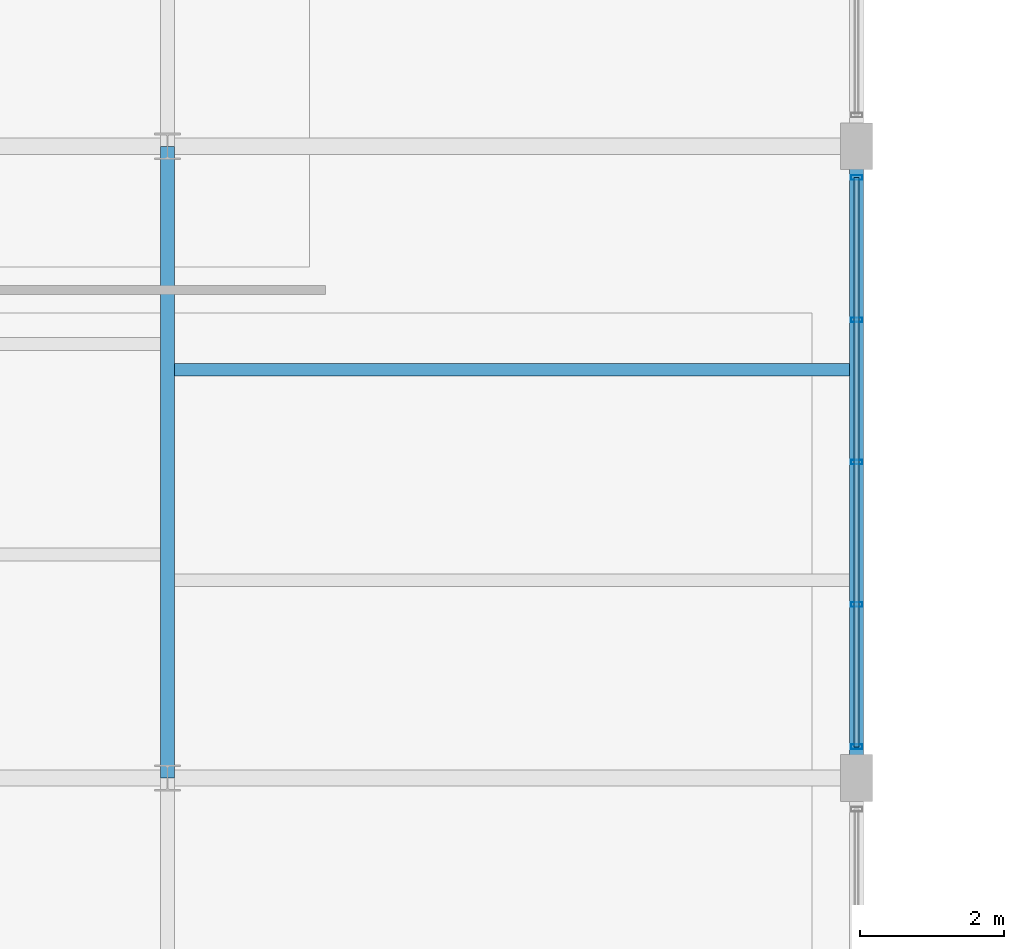
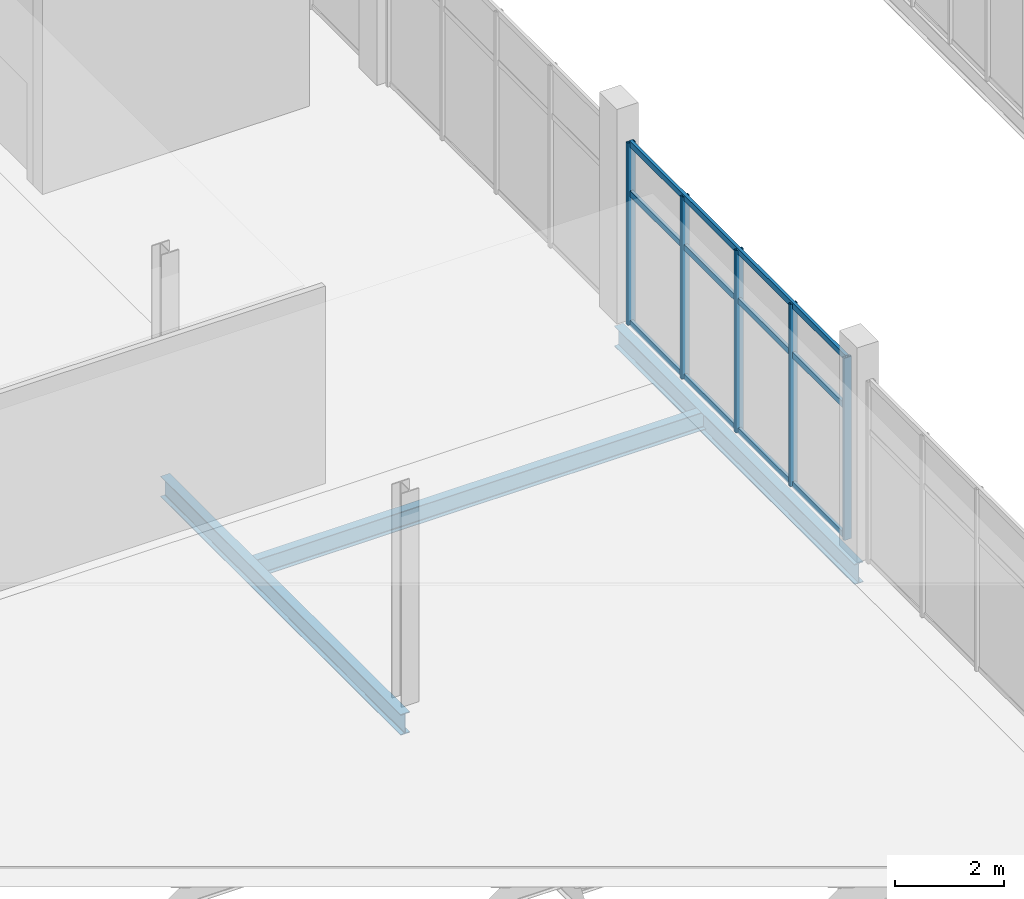
# One storey, part 30 of 157: 8 members, 3 beams, 1 element without a shape of its own.
"""IFC4 building model written with IfcOpenShell, lengths in metres."""

from ifc_helpers import new_model, si_unit, direction, frame, origin, origin_2d, place, context, subcontext, project, spatial, hollow_rectangle, i_section, extrude, material, layer, layer_set, material_profile, profile_set, type_object, element, aggregate, save


model = new_model("IFC4")

# Units and contexts
model_context = context("Model", 3, precision=1e-05, world=origin(), true_north=direction((0.0, 1.0)))
body_context = subcontext(model_context, "Body", "Model", "MODEL_VIEW")
ifc_project = project(units=[si_unit("LENGTHUNIT", "METRE"), si_unit("AREAUNIT", "SQUARE_METRE"), si_unit("VOLUMEUNIT", "CUBIC_METRE"), si_unit("PLANEANGLEUNIT", "RADIAN"), si_unit("MASSUNIT", "GRAM", prefix="KILO")], contexts=[model_context])

# Site, building, storey
site_placement = place(None, origin())
site = spatial("IfcSite", under=ifc_project, at=site_placement, CompositionType="ELEMENT")
building_placement = place(site_placement, origin())
building = spatial("IfcBuilding", under=site, at=building_placement, Name="Chalmorin Arch Market", CompositionType="ELEMENT")
storey_placement = place(building_placement, frame((0.0, 0.0, 4.800048828125)))
storey = spatial("IfcBuildingStorey", under=building, at=storey_placement, Name="L01", CompositionType="ELEMENT", Elevation=4.800048828125)

# Curtain wall, members
ifc_material_1 = material(Name="Aluminium 6063-T6", Category="aluminium")
ifc_layer = layer(ifc_material_1, 0.159912109375)
ifc_layer_set = layer_set([ifc_layer], Name="Aluminium 6063-T6")
curtain_wall_type = type_object("IfcCurtainWallType", Name="RiverfrontStorefrontCurtainWall-CW2-7930x4080", PredefinedType="NOTDEFINED", material=ifc_layer_set)
curtain_wall_placement = place(storey_placement, origin())
curtain_wall = element("IfcCurtainWall", 1, at=curtain_wall_placement, inside=storey, type_object=curtain_wall_type, Name="CW-02-101", PredefinedType="NOTDEFINED")
ifc_material_profile_1 = material_profile(ifc_material_1, hollow_rectangle(XDim=0.06494140625, YDim=0.159912109375, WallThickness=0.00390625, at=origin_2d()), Name="ALU65X160X4")
ifc_profile_set_1 = profile_set([ifc_material_profile_1], Name="Aluminium 6063-T6")
member_type_1 = type_object("IfcMemberType", Name="CurtainWallMullion-65x160", PredefinedType="MULLION", material=ifc_profile_set_1)
member_1_placement = place(storey_placement, frame((38.39990234375, 24.034912109375, 0.0), z_axis=(0.0, 0.0, 1.0), x_axis=(0.0, 1.0, 0.0)))
member_1 = element("IfcMember", 2, at=member_1_placement, type_object=member_type_1, Name="ML-101-01", PredefinedType="MULLION", context=body_context, shape_type="SweptSolid", body=[
    extrude(hollow_rectangle(XDim=0.06494140625, YDim=0.159912109375, WallThickness=0.00390625, at=origin_2d()), origin(), (0.0, 0.0, 1.0), 4.075927734375),
])
member_2_placement = place(storey_placement, frame((38.39990234375, 26.017578125, 0.0), z_axis=(0.0, 0.0, 1.0), x_axis=(0.0, 1.0, 0.0)))
member_2 = element("IfcMember", 3, at=member_2_placement, type_object=member_type_1, Name="ML-101-02", PredefinedType="MULLION", context=body_context, shape_type="SweptSolid", body=[
    extrude(hollow_rectangle(XDim=0.06494140625, YDim=0.159912109375, WallThickness=0.00390625, at=origin_2d()), origin(), (0.0, 0.0, 1.0), 4.075927734375),
])
member_3_placement = place(storey_placement, frame((38.39990234375, 28.0, 0.0), z_axis=(0.0, 0.0, 1.0), x_axis=(0.0, 1.0, 0.0)))
member_3 = element("IfcMember", 4, at=member_3_placement, type_object=member_type_1, Name="ML-101-03", PredefinedType="MULLION", context=body_context, shape_type="SweptSolid", body=[
    extrude(hollow_rectangle(XDim=0.06494140625, YDim=0.159912109375, WallThickness=0.00390625, at=origin_2d()), origin(), (0.0, 0.0, 1.0), 4.075927734375),
])
member_4_placement = place(storey_placement, frame((38.39990234375, 29.982421875, 0.0), z_axis=(0.0, 0.0, 1.0), x_axis=(0.0, 1.0, 0.0)))
member_4 = element("IfcMember", 5, at=member_4_placement, type_object=member_type_1, Name="ML-101-04", PredefinedType="MULLION", context=body_context, shape_type="SweptSolid", body=[
    extrude(hollow_rectangle(XDim=0.06494140625, YDim=0.159912109375, WallThickness=0.00390625, at=origin_2d()), origin(), (0.0, 0.0, 1.0), 4.075927734375),
])
member_5_placement = place(storey_placement, frame((38.39990234375, 31.965087890625, 0.0), z_axis=(0.0, 0.0, 1.0), x_axis=(0.0, 1.0, 0.0)))
member_5 = element("IfcMember", 6, at=member_5_placement, type_object=member_type_1, Name="ML-101-05", PredefinedType="MULLION", context=body_context, shape_type="SweptSolid", body=[
    extrude(hollow_rectangle(XDim=0.06494140625, YDim=0.159912109375, WallThickness=0.00390625, at=origin_2d()), origin(), (0.0, 0.0, 1.0), 4.075927734375),
])
ifc_material_profile_2 = material_profile(ifc_material_1, hollow_rectangle(XDim=0.06494140625, YDim=0.1298828125, WallThickness=0.00390625, at=origin_2d()), Name="ALU65X130X4")
ifc_profile_set_2 = profile_set([ifc_material_profile_2], Name="Aluminium 6063-T6")
member_type_2 = type_object("IfcMemberType", Name="CurtainWallTransom-65x130", PredefinedType="USERDEFINED", material=ifc_profile_set_2)
member_6_placement = place(storey_placement, frame((38.39990234375, 24.034912109375, 0.034912109375), z_axis=(0.0, 1.0, 0.0), x_axis=(-1.0, 0.0, 0.0)))
member_6 = element("IfcMember", 7, at=member_6_placement, type_object=member_type_2, Name="TR-101-01", ObjectType="TRANSOM", PredefinedType="USERDEFINED", context=body_context, shape_type="SweptSolid", body=[
    extrude(hollow_rectangle(XDim=0.06494140625, YDim=0.1298828125, WallThickness=0.00390625, at=origin_2d()), origin(), (0.0, 0.0, 1.0), 7.93017578125),
])
member_7_placement = place(storey_placement, frame((38.39990234375, 24.034912109375, 2.9345703125), z_axis=(0.0, 1.0, 0.0), x_axis=(-1.0, 0.0, 0.0)))
member_7 = element("IfcMember", 8, at=member_7_placement, type_object=member_type_2, Name="TR-101-02", ObjectType="TRANSOM", PredefinedType="USERDEFINED", context=body_context, shape_type="SweptSolid", body=[
    extrude(hollow_rectangle(XDim=0.06494140625, YDim=0.1298828125, WallThickness=0.00390625, at=origin_2d()), origin(), (0.0, 0.0, 1.0), 7.93017578125),
])
member_8_placement = place(storey_placement, frame((38.39990234375, 24.034912109375, 4.041015625), z_axis=(0.0, 1.0, 0.0), x_axis=(-1.0, 0.0, 0.0)))
member_8 = element("IfcMember", 9, at=member_8_placement, type_object=member_type_2, Name="TR-101-03", ObjectType="TRANSOM", PredefinedType="USERDEFINED", context=body_context, shape_type="SweptSolid", body=[
    extrude(hollow_rectangle(XDim=0.06494140625, YDim=0.1298828125, WallThickness=0.00390625, at=origin_2d()), origin(), (0.0, 0.0, 1.0), 7.93017578125),
])
aggregate(curtain_wall, [member_1, member_2, member_3, member_4, member_5, member_6, member_7, member_8])

# Beams
ifc_material_2 = material(Name="Steel A992 Grade 50", Category="steel")
ifc_material_profile_3 = material_profile(ifc_material_2, i_section(OverallWidth=0.193115234375, OverallDepth=0.466064453125, WebThickness=0.011474609375, FlangeThickness=0.01904296875, FilletRadius=0.02001953125, at=origin_2d()), Name="W18X65")
ifc_profile_set_3 = profile_set([ifc_material_profile_3], Name="Steel A992 Grade 50")
beam_type_1 = type_object("IfcBeamType", Name="FloorSteelBeam-W18X65", PredefinedType="BEAM", material=ifc_profile_set_3)
beam_1_placement = place(storey_placement, frame((28.800048828125, 23.60009765625, -0.51513671875), z_axis=(0.0, 1.0, 0.0), x_axis=(-1.0, 0.0, 0.0)))
element("IfcBeam", 10, at=beam_1_placement, inside=storey, type_object=beam_type_1, Name="BM-W18A-0829", PredefinedType="BEAM", context=body_context, shape_type="SweptSolid", body=[
    extrude(i_section(OverallWidth=0.193115234375, OverallDepth=0.466064453125, WebThickness=0.011474609375, FlangeThickness=0.01904296875, FilletRadius=0.02001953125, at=origin_2d()), origin(), (0.0, 0.0, 1.0), 8.7998046875),
])
ifc_material_profile_4 = material_profile(ifc_material_2, i_section(OverallWidth=0.19091796875, OverallDepth=0.45703125, WebThickness=0.009033203125, FlangeThickness=0.014404296875, FilletRadius=0.02001953125, at=origin_2d()), Name="W18X50")
ifc_profile_set_4 = profile_set([ifc_material_profile_4], Name="Steel A992 Grade 50")
beam_type_2 = type_object("IfcBeamType", Name="PerimeterSpandrelBeam-W18X50", PredefinedType="SPANDREL", material=ifc_profile_set_4)
beam_2_placement = place(storey_placement, frame((38.39990234375, 23.60009765625, -0.510498046875), z_axis=(0.0, 1.0, 0.0), x_axis=(-1.0, 0.0, 0.0)))
element("IfcBeam", 11, at=beam_2_placement, inside=storey, type_object=beam_type_2, Name="SP-W18-0840", PredefinedType="SPANDREL", context=body_context, shape_type="SweptSolid", body=[
    extrude(i_section(OverallWidth=0.19091796875, OverallDepth=0.45703125, WebThickness=0.009033203125, FlangeThickness=0.014404296875, FilletRadius=0.02001953125, at=origin_2d()), origin(), (0.0, 0.0, 1.0), 8.7998046875),
])
ifc_material_profile_5 = material_profile(ifc_material_2, i_section(OverallWidth=0.177978515625, OverallDepth=0.403076171875, WebThickness=0.007568359375, FlangeThickness=0.010986328125, FilletRadius=0.01806640625, at=origin_2d()), Name="W16X36")
ifc_profile_set_5 = profile_set([ifc_material_profile_5], Name="Steel A992 Grade 50")
beam_type_3 = type_object("IfcBeamType", Name="SecondaryFloorJoist-W16X36", PredefinedType="JOIST", material=ifc_profile_set_5)
beam_3_placement = place(storey_placement, frame((28.800048828125, 29.28662109375, -0.483642578125), z_axis=(1.0, 0.0, 0.0), x_axis=(0.0, 1.0, 0.0)))
element("IfcBeam", 12, at=beam_3_placement, inside=storey, type_object=beam_type_3, Name="BJ-W16B-0875", PredefinedType="JOIST", context=body_context, shape_type="SweptSolid", body=[
    extrude(i_section(OverallWidth=0.177978515625, OverallDepth=0.403076171875, WebThickness=0.007568359375, FlangeThickness=0.010986328125, FilletRadius=0.01806640625, at=origin_2d()), origin(), (0.0, 0.0, 1.0), 9.599853515625),
])

save(model, "model.ifc")
